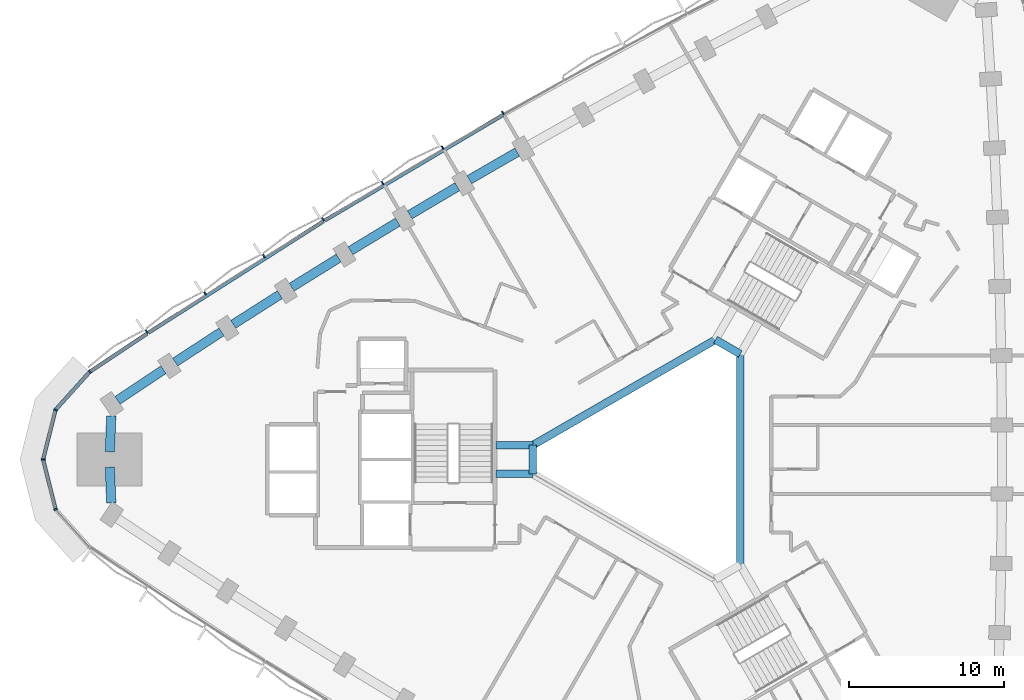
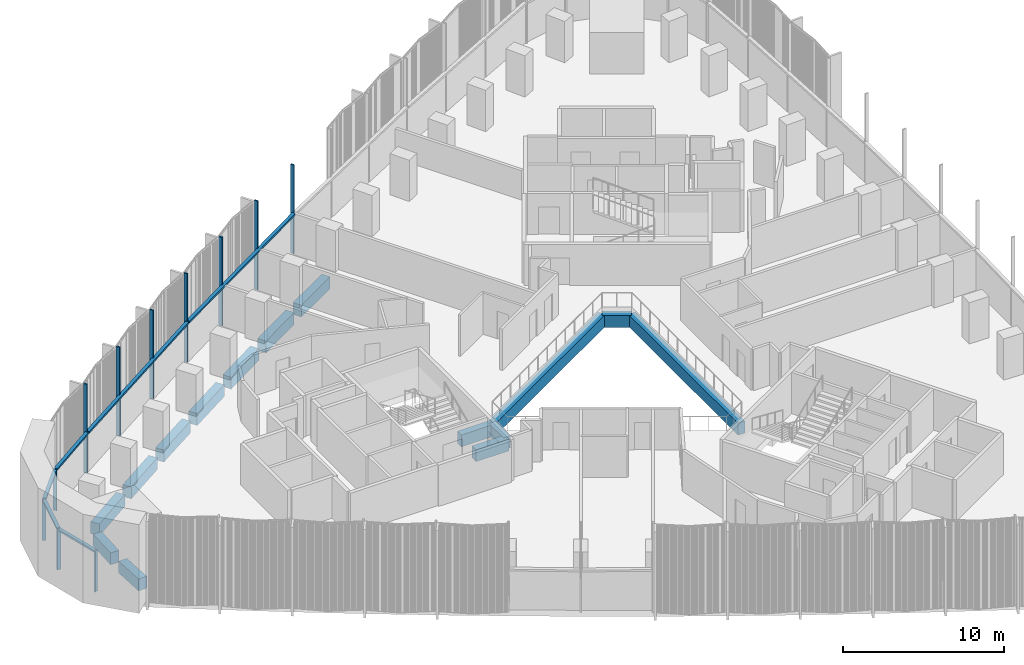
# One storey, part 4 of 16: 17 members, 15 beams, 1 element without a shape of its own.
"""IFC4 building model written with IfcOpenShell, lengths in metres."""

from ifc_helpers import new_model, si_unit, direction, frame, origin, origin_2d, place, context, subcontext, project, spatial, rectangle, extrude, material, material_profile, profile_set, type_object, element, aggregate, save


model = new_model("IFC4")

# Units and contexts
model_context = context("Model", 3, precision=1e-05, world=origin(), true_north=direction((0.0, 1.0)))
body_context = subcontext(model_context, "Body", "Model", "MODEL_VIEW")
ifc_project = project(units=[si_unit("LENGTHUNIT", "METRE"), si_unit("AREAUNIT", "SQUARE_METRE"), si_unit("VOLUMEUNIT", "CUBIC_METRE"), si_unit("PLANEANGLEUNIT", "RADIAN"), si_unit("MASSUNIT", "GRAM", prefix="KILO")], contexts=[model_context])

# Site, building, storey
site_placement = place(None, origin())
site = spatial("IfcSite", under=ifc_project, at=site_placement, CompositionType="ELEMENT")
building_placement = place(site_placement, origin())
building = spatial("IfcBuilding", under=site, at=building_placement, Name="Tamra Quay Hotel Tower", CompositionType="ELEMENT")
storey_placement = place(building_placement, frame((0.0, 0.0, 56.60009765625)))
storey = spatial("IfcBuildingStorey", under=building, at=storey_placement, Name="L12", CompositionType="ELEMENT", Elevation=56.60009765625)

# Beams
ifc_material_1 = material(Name="Concrete M60", Category="concrete")
ifc_material_profile_1 = material_profile(ifc_material_1, rectangle(XDim=0.5, YDim=0.89990234375, at=origin_2d()), Name="ATRIUM EDGE BEAM RC 500x900")
ifc_profile_set_1 = profile_set([ifc_material_profile_1], Name="Concrete M60")
beam_type_1 = type_object("IfcBeamType", Name="ATRIUM EDGE BEAM RC 500x900", PredefinedType="BEAM", material=ifc_profile_set_1)
beam_1_placement = place(storey_placement, frame((5.0, 6.812744140625, -0.925048828125), z_axis=(0.0, -1.0, 0.0), x_axis=(1.0, 0.0, 0.0)))
element("IfcBeam", 1, at=beam_1_placement, inside=storey, type_object=beam_type_1, Name="BM-AB0-L12", PredefinedType="BEAM", context=body_context, shape_type="SweptSolid", body=[
    extrude(rectangle(XDim=0.5, YDim=0.89990234375, at=origin_2d()), origin(), (0.0, 0.0, 1.0), 13.62548828125),
])
beam_2_placement = place(storey_placement, frame((-8.39990234375, -0.923828125, -0.925048828125), z_axis=(0.0, 1.0, 0.0), x_axis=(-1.0, 0.0, 0.0)))
element("IfcBeam", 2, at=beam_2_placement, inside=storey, type_object=beam_type_1, Name="BM-AB3-L12", PredefinedType="BEAM", context=body_context, shape_type="SweptSolid", body=[
    extrude(rectangle(XDim=0.5, YDim=0.89990234375, at=origin_2d()), origin(), (0.0, 0.0, 1.0), 1.84765625),
])
beam_3_placement = place(storey_placement, frame((-8.39990234375, 0.923828125, -0.925048828125), z_axis=(0.866021471679, 0.500006810544, 0.0), x_axis=(-0.500006810544, 0.866021471679, 0.0)))
element("IfcBeam", 3, at=beam_3_placement, inside=storey, type_object=beam_type_1, Name="BM-AB4-L12", PredefinedType="BEAM", context=body_context, shape_type="SweptSolid", body=[
    extrude(rectangle(XDim=0.5, YDim=0.89990234375, at=origin_2d()), origin(), (0.0, 0.0, 1.0), 13.625244140625),
])
beam_4_placement = place(storey_placement, frame((3.39990234375, 7.736572265625, -0.925048828125), z_axis=(0.86602275259, -0.500004591975, 0.0), x_axis=(0.500004591975, 0.86602275259, 0.0)))
element("IfcBeam", 4, at=beam_4_placement, inside=storey, type_object=beam_type_1, Name="BM-AB5-L12", PredefinedType="BEAM", context=body_context, shape_type="SweptSolid", body=[
    extrude(rectangle(XDim=0.5, YDim=0.89990234375, at=origin_2d()), origin(), (0.0, 0.0, 1.0), 1.84765625),
])
ifc_material_profile_2 = material_profile(ifc_material_1, rectangle(XDim=0.5, YDim=0.89990234375, at=origin_2d()), Name="ATRIUM TIE BEAM RC 500x900")
ifc_profile_set_2 = profile_set([ifc_material_profile_2], Name="Concrete M60")
beam_type_2 = type_object("IfcBeamType", Name="ATRIUM TIE BEAM RC 500x900", PredefinedType="BEAM", material=ifc_profile_set_2)
for number, where, z_axis, x_axis, name in (
    (5, (-8.39990234375, -0.923828125, -0.925048828125), (-1.0, 0.0, 0.0), (0.0, -1.0, 0.0), "BM-TIE-3-L12"),
    (6, (-8.39990234375, 0.923828125, -0.925048828125), (-1.0, 0.0, 0.0), (0.0, -1.0, 0.0), "BM-TIE-4-L12"),
):
    element("IfcBeam", number, at=place(storey_placement, frame(where, z_axis=z_axis, x_axis=x_axis)), inside=storey, type_object=beam_type_2, Name=name, PredefinedType="BEAM", context=body_context, shape_type="SweptSolid", body=[
        extrude(rectangle(XDim=0.5, YDim=0.89990234375, at=origin_2d()), origin(), (0.0, 0.0, 1.0), 2.3623046875),
    ])

# Curtain wall, members
ifc_material_2 = material(Name="Aluminium 6063 anodised dark grey", Category="aluminium")
curtain_wall_type = type_object("IfcCurtainWallType", Name="CW2 CURTAIN WALL", PredefinedType="NOTDEFINED", material=ifc_material_2)
curtain_wall_placement = place(storey_placement, origin())
curtain_wall = element("IfcCurtainWall", 7, at=curtain_wall_placement, inside=storey, type_object=curtain_wall_type, Name="CW2 north-west face L12", PredefinedType="NOTDEFINED")
ifc_material_profile_3 = material_profile(ifc_material_2, rectangle(XDim=0.239990234375, YDim=0.10009765625, at=origin_2d()), Name="MULLION 100X240")
ifc_profile_set_3 = profile_set([ifc_material_profile_3], Name="Aluminium 6063 anodised dark grey")
member_type_1 = type_object("IfcMemberType", Name="MULLION CW2 Z1", PredefinedType="MULLION", material=ifc_profile_set_3)
member_1_placement = place(storey_placement, frame((-10.3271484375, 22.3857421875, 0.0), z_axis=(0.0, 0.0, 1.0), x_axis=(-0.495300542226, 0.868721688961, 0.0)))
member_1 = element("IfcMember", 8, at=member_1_placement, type_object=member_type_1, Name="CW2 mullion L12.NW.7", PredefinedType="MULLION", context=body_context, shape_type="SweptSolid", body=[
    extrude(rectangle(XDim=0.239990234375, YDim=0.10009765625, at=origin_2d()), origin(), (0.0, 0.0, 1.0), 6.724853515625),
])
member_2_placement = place(storey_placement, frame((-14.222900390625, 20.136474609375, 0.0), z_axis=(0.0, 0.0, 1.0), x_axis=(-0.504684780346, 0.863303696556, 0.0)))
member_2 = element("IfcMember", 9, at=member_2_placement, type_object=member_type_1, Name="CW2 mullion L12.NW.8", PredefinedType="MULLION", context=body_context, shape_type="SweptSolid", body=[
    extrude(rectangle(XDim=0.239990234375, YDim=0.10009765625, at=origin_2d()), origin(), (0.0, 0.0, 1.0), 6.724853515625),
])
member_3_placement = place(storey_placement, frame((-18.09423828125, 17.844970703125, 0.0), z_axis=(0.0, 0.0, 1.0), x_axis=(-0.514004208519, 0.857787662318, 0.0)))
member_3 = element("IfcMember", 10, at=member_3_placement, type_object=member_type_1, Name="CW2 mullion L12.NW.9", PredefinedType="MULLION", context=body_context, shape_type="SweptSolid", body=[
    extrude(rectangle(XDim=0.239990234375, YDim=0.10009765625, at=origin_2d()), origin(), (0.0, 0.0, 1.0), 6.724853515625),
])
member_4_placement = place(storey_placement, frame((-21.94189453125, 15.510986328125, 0.0), z_axis=(0.0, 0.0, 1.0), x_axis=(-0.523257107809, 0.852174864173, 0.0)))
member_4 = element("IfcMember", 11, at=member_4_placement, type_object=member_type_1, Name="CW2 mullion L12.NW.10", PredefinedType="MULLION", context=body_context, shape_type="SweptSolid", body=[
    extrude(rectangle(XDim=0.239990234375, YDim=0.10009765625, at=origin_2d()), origin(), (0.0, 0.0, 1.0), 6.724853515625),
])
member_5_placement = place(storey_placement, frame((-25.7626953125, 13.136474609375, 0.0), z_axis=(0.0, 0.0, 1.0), x_axis=(-0.532446769932, 0.846463488397, 0.0)))
member_5 = element("IfcMember", 12, at=member_5_placement, type_object=member_type_1, Name="CW2 mullion L12.NW.11", PredefinedType="MULLION", context=body_context, shape_type="SweptSolid", body=[
    extrude(rectangle(XDim=0.239990234375, YDim=0.10009765625, at=origin_2d()), origin(), (0.0, 0.0, 1.0), 6.724853515625),
])
member_6_placement = place(storey_placement, frame((-29.5576171875, 10.720458984375, 0.0), z_axis=(0.0, 0.0, 1.0), x_axis=(-0.541560699791, 0.840661649204, 0.0)))
member_6 = element("IfcMember", 13, at=member_6_placement, type_object=member_type_1, Name="CW2 mullion L12.NW.12", PredefinedType="MULLION", context=body_context, shape_type="SweptSolid", body=[
    extrude(rectangle(XDim=0.239990234375, YDim=0.10009765625, at=origin_2d()), origin(), (0.0, 0.0, 1.0), 6.724853515625),
])
member_7_placement = place(storey_placement, frame((-33.32763671875, 8.262939453125, 0.0), z_axis=(0.0, 0.0, 1.0), x_axis=(-0.550591210923, 0.834775010679, 0.0)))
member_7 = element("IfcMember", 14, at=member_7_placement, type_object=member_type_1, Name="CW2 mullion L12.NW.13", PredefinedType="MULLION", context=body_context, shape_type="SweptSolid", body=[
    extrude(rectangle(XDim=0.239990234375, YDim=0.10009765625, at=origin_2d()), origin(), (0.0, 0.0, 1.0), 6.724853515625),
])
member_8_placement = place(storey_placement, frame((-37.001708984375, 5.6669921875, 0.0), z_axis=(0.0, 0.0, 1.0), x_axis=(-0.654196739281, 0.756324418695, 0.0)))
member_8 = element("IfcMember", 15, at=member_8_placement, type_object=member_type_1, Name="CW2 mullion L12.NW.14", PredefinedType="MULLION", context=body_context, shape_type="SweptSolid", body=[
    extrude(rectangle(XDim=0.239990234375, YDim=0.10009765625, at=origin_2d()), origin(), (0.0, 0.0, 1.0), 3.125),
])
member_9_placement = place(storey_placement, frame((-39.214599609375, 3.209228515625, 0.0), z_axis=(0.0, 0.0, 1.0), x_axis=(-0.882955345235, 0.469456982396, 0.0)))
member_9 = element("IfcMember", 16, at=member_9_placement, type_object=member_type_1, Name="CW2 mullion L12.NW.15", PredefinedType="MULLION", context=body_context, shape_type="SweptSolid", body=[
    extrude(rectangle(XDim=0.239990234375, YDim=0.10009765625, at=origin_2d()), origin(), (0.0, 0.0, 1.0), 3.125),
])
member_10_placement = place(storey_placement, frame((-40.0146484375, 0.0, 0.0), z_axis=(0.0, 0.0, 1.0), x_axis=(-1.0, 0.0, 0.0)))
member_10 = element("IfcMember", 17, at=member_10_placement, type_object=member_type_1, Name="CW2 mullion L12.NW.16", PredefinedType="MULLION", context=body_context, shape_type="SweptSolid", body=[
    extrude(rectangle(XDim=0.239990234375, YDim=0.10009765625, at=origin_2d()), origin(), (0.0, 0.0, 1.0), 3.125),
])
member_11_placement = place(storey_placement, frame((-39.214599609375, -3.209228515625, 0.0), z_axis=(0.0, 0.0, 1.0), x_axis=(-0.882955345235, -0.469456982396, 0.0)))
member_11 = element("IfcMember", 18, at=member_11_placement, type_object=member_type_1, Name="CW2 mullion L12.NW.17", PredefinedType="MULLION", context=body_context, shape_type="SweptSolid", body=[
    extrude(rectangle(XDim=0.239990234375, YDim=0.10009765625, at=origin_2d()), origin(), (0.0, 0.0, 1.0), 3.125),
])

# Beams
ifc_material_profile_4 = material_profile(ifc_material_1, rectangle(XDim=0.60009765625, YDim=0.89990234375, at=origin_2d()), Name="SPANDREL BEAM RC 600x900")
ifc_profile_set_4 = profile_set([ifc_material_profile_4], Name="Concrete M60")
beam_type_3 = type_object("IfcBeamType", Name="SPANDREL BEAM RC 600x900", PredefinedType="SPANDREL", material=ifc_profile_set_4)
beam_5_placement = place(storey_placement, frame((-9.401123046875, 19.853759765625, -0.925048828125), z_axis=(-0.866017069707, -0.500014434768, 0.0), x_axis=(0.500014434768, -0.866017069707, 0.0)))
element("IfcBeam", 19, at=beam_5_placement, inside=storey, type_object=beam_type_3, Name="BM-SP1-021-L12", PredefinedType="SPANDREL", context=body_context, shape_type="SweptSolid", body=[
    extrude(rectangle(XDim=0.60009765625, YDim=0.89990234375, at=origin_2d()), origin(), (0.0, 0.0, 1.0), 3.57080078125),
])
beam_6_placement = place(storey_placement, frame((-13.270263671875, 17.6142578125, -0.925048828125), z_axis=(-0.860524689034, -0.509408735264, 0.0), x_axis=(0.509408735264, -0.860524689034, 0.0)))
element("IfcBeam", 20, at=beam_6_placement, inside=storey, type_object=beam_type_3, Name="BM-SP1-022-L12", PredefinedType="SPANDREL", context=body_context, shape_type="SweptSolid", body=[
    extrude(rectangle(XDim=0.60009765625, YDim=0.89990234375, at=origin_2d()), origin(), (0.0, 0.0, 1.0), 3.570556640625),
])
beam_7_placement = place(storey_placement, frame((-17.114990234375, 15.3330078125, -0.925048828125), z_axis=(-0.854966252085, -0.518683629775, 0.0), x_axis=(0.518683629775, -0.854966252085, 0.0)))
element("IfcBeam", 21, at=beam_7_placement, inside=storey, type_object=beam_type_3, Name="BM-SP1-023-L12", PredefinedType="SPANDREL", context=body_context, shape_type="SweptSolid", body=[
    extrude(rectangle(XDim=0.60009765625, YDim=0.89990234375, at=origin_2d()), origin(), (0.0, 0.0, 1.0), 3.56982421875),
])
beam_8_placement = place(storey_placement, frame((-20.93408203125, 13.010498046875, -0.925048828125), z_axis=(-0.849320953317, -0.527876802158, 0.0), x_axis=(0.527876802158, -0.849320953317, 0.0)))
element("IfcBeam", 22, at=beam_8_placement, inside=storey, type_object=beam_type_3, Name="BM-SP1-024-L12", PredefinedType="SPANDREL", context=body_context, shape_type="SweptSolid", body=[
    extrude(rectangle(XDim=0.60009765625, YDim=0.89990234375, at=origin_2d()), origin(), (0.0, 0.0, 1.0), 3.570556640625),
])
beam_9_placement = place(storey_placement, frame((-24.728515625, 10.646484375, -0.925048828125), z_axis=(-0.843593906333, -0.53698167678, 0.0), x_axis=(0.53698167678, -0.843593906333, 0.0)))
element("IfcBeam", 23, at=beam_9_placement, inside=storey, type_object=beam_type_3, Name="BM-SP1-025-L12", PredefinedType="SPANDREL", context=body_context, shape_type="SweptSolid", body=[
    extrude(rectangle(XDim=0.60009765625, YDim=0.89990234375, at=origin_2d()), origin(), (0.0, 0.0, 1.0), 3.5703125),
])
beam_10_placement = place(storey_placement, frame((-28.4970703125, 8.24169921875, -0.925048828125), z_axis=(-0.837739819239, -0.546069588296, 0.0), x_axis=(0.546069588296, -0.837739819239, 0.0)))
element("IfcBeam", 24, at=beam_10_placement, inside=storey, type_object=beam_type_3, Name="BM-SP1-026-L12", PredefinedType="SPANDREL", context=body_context, shape_type="SweptSolid", body=[
    extrude(rectangle(XDim=0.60009765625, YDim=0.89990234375, at=origin_2d()), origin(), (0.0, 0.0, 1.0), 3.570068359375),
])
beam_11_placement = place(storey_placement, frame((-32.239013671875, 5.796630859375, -0.925048828125), z_axis=(-0.831818807601, -0.555047269448, 0.0), x_axis=(0.555047269448, -0.831818807601, 0.0)))
element("IfcBeam", 25, at=beam_11_placement, inside=storey, type_object=beam_type_3, Name="BM-SP1-027-L12", PredefinedType="SPANDREL", context=body_context, shape_type="SweptSolid", body=[
    extrude(rectangle(XDim=0.60009765625, YDim=0.89990234375, at=origin_2d()), origin(), (0.0, 0.0, 1.0), 3.57080078125),
])
for number, where, z_axis, x_axis, name in (
    (26, (-35.614501953125, 2.805908203125, -0.925048828125), (-0.040711272802, -0.999170952474, 0.0), (0.999170952474, -0.040711272802, 0.0), "BM-SP1-028-L12"),
    (27, (-35.70849609375, -0.4990234375, -0.925048828125), (0.040711272802, -0.999170952474, 0.0), (0.999170952474, 0.040711272802, 0.0), "BM-SP1-029-L12"),
):
    element("IfcBeam", number, at=place(storey_placement, frame(where, z_axis=z_axis, x_axis=x_axis)), inside=storey, type_object=beam_type_3, Name=name, PredefinedType="SPANDREL", context=body_context, shape_type="SweptSolid", body=[
        extrude(rectangle(XDim=0.60009765625, YDim=0.89990234375, at=origin_2d()), origin(), (0.0, 0.0, 1.0), 2.308837890625),
    ])

# Member
ifc_material_profile_5 = material_profile(ifc_material_2, rectangle(XDim=0.239990234375, YDim=0.139892578125, at=origin_2d()), Name="TRANSOM 240X140")
ifc_profile_set_5 = profile_set([ifc_material_profile_5], Name="Aluminium 6063 anodised dark grey")
member_type_2 = type_object("IfcMemberType", Name="TRANSOM CW2 Z1", PredefinedType="USERDEFINED", material=ifc_profile_set_5)
member_12_placement = place(storey_placement, frame((-10.31103515625, 22.25634765625, 3.054931640625), z_axis=(-0.860556136509, -0.509355608506, 0.0), x_axis=(0.509355608506, -0.860556136509, 0.0)))
member_12 = element("IfcMember", 28, at=member_12_placement, type_object=member_type_2, Name="CW2 transom L12.NW.7", ObjectType="TRANSOM", PredefinedType="USERDEFINED", context=body_context, shape_type="SweptSolid", body=[
    extrude(rectangle(XDim=0.239990234375, YDim=0.139892578125, at=origin_2d()), origin(), (0.0, 0.0, 1.0), 13.39306640625),
])

member_13_placement = place(storey_placement, frame((-21.921630859375, 15.38232421875, 3.054931640625), z_axis=(-0.843573654677, -0.537013490646, 0.0), x_axis=(0.537013490646, -0.843573654677, 0.0)))
member_13 = element("IfcMember", 29, at=member_13_placement, type_object=member_type_2, Name="CW2 transom L12.NW.10", ObjectType="TRANSOM", PredefinedType="USERDEFINED", context=body_context, shape_type="SweptSolid", body=[
    extrude(rectangle(XDim=0.239990234375, YDim=0.139892578125, at=origin_2d()), origin(), (0.0, 0.0, 1.0), 13.392822265625),
])

member_14_placement = place(storey_placement, frame((-33.302978515625, 8.135009765625, 3.054931640625), z_axis=(-0.831819549422, -0.555046157719, 0.0), x_axis=(0.555046157719, -0.831819549422, 0.0)))
member_14 = element("IfcMember", 30, at=member_14_placement, type_object=member_type_2, Name="CW2 transom L12.NW.13", ObjectType="TRANSOM", PredefinedType="USERDEFINED", context=body_context, shape_type="SweptSolid", body=[
    extrude(rectangle(XDim=0.239990234375, YDim=0.139892578125, at=origin_2d()), origin(), (0.0, 0.0, 1.0), 4.396484375),
])

member_15_placement = place(storey_placement, frame((-37.03515625, 5.6298828125, 3.054931640625), z_axis=(-0.669103504087, -0.743169227577, 0.0), x_axis=(0.743169227577, -0.669103504087, 0.0)))
member_15 = element("IfcMember", 31, at=member_15_placement, type_object=member_type_2, Name="CW2 transom L12.NW.14", ObjectType="TRANSOM", PredefinedType="USERDEFINED", context=body_context, shape_type="SweptSolid", body=[
    extrude(rectangle(XDim=0.239990234375, YDim=0.139892578125, at=origin_2d()), origin(), (0.0, 0.0, 1.0), 3.207275390625),
])

member_16_placement = place(storey_placement, frame((-39.226806640625, 3.16064453125, 3.054931640625), z_axis=(-0.241908705512, -0.970299014839, 0.0), x_axis=(0.970299014839, -0.241908705512, 0.0)))
member_16 = element("IfcMember", 32, at=member_16_placement, type_object=member_type_2, Name="CW2 transom L12.NW.15", ObjectType="TRANSOM", PredefinedType="USERDEFINED", context=body_context, shape_type="SweptSolid", body=[
    extrude(rectangle(XDim=0.239990234375, YDim=0.139892578125, at=origin_2d()), origin(), (0.0, 0.0, 1.0), 3.207275390625),
])

member_17_placement = place(storey_placement, frame((-40.002685546875, -0.048583984375, 3.054931640625), z_axis=(0.241908705512, -0.970299014839, 0.0), x_axis=(0.970299014839, 0.241908705512, 0.0)))
member_17 = element("IfcMember", 33, at=member_17_placement, type_object=member_type_2, Name="CW2 transom L12.NW.16", ObjectType="TRANSOM", PredefinedType="USERDEFINED", context=body_context, shape_type="SweptSolid", body=[
    extrude(rectangle(XDim=0.239990234375, YDim=0.139892578125, at=origin_2d()), origin(), (0.0, 0.0, 1.0), 3.207275390625),
])

aggregate(curtain_wall, [member_1, member_12, member_2, member_3, member_4, member_13, member_5, member_6, member_7, member_14, member_8, member_15, member_9, member_16, member_10, member_17, member_11])

save(model, "model.ifc")
